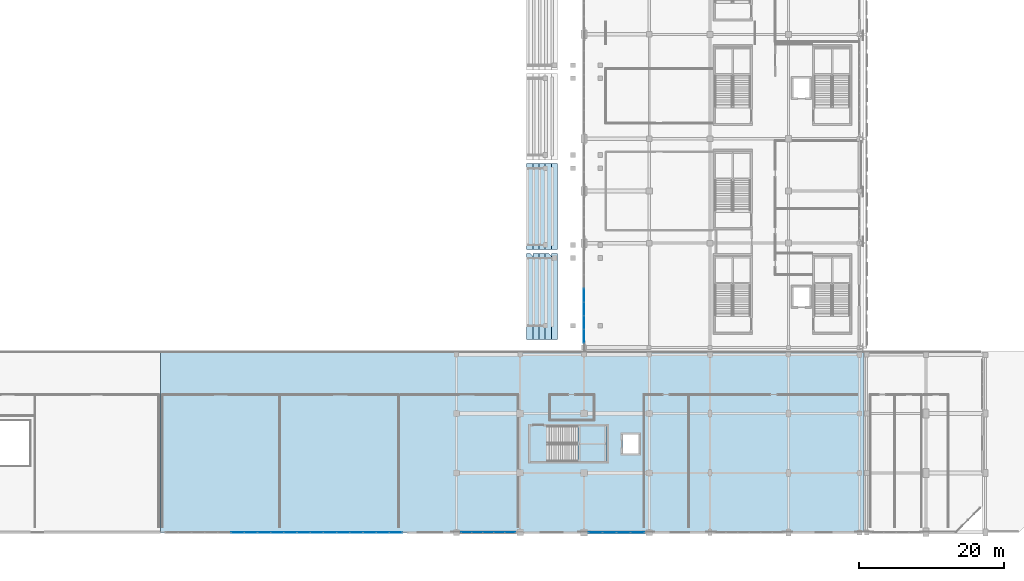
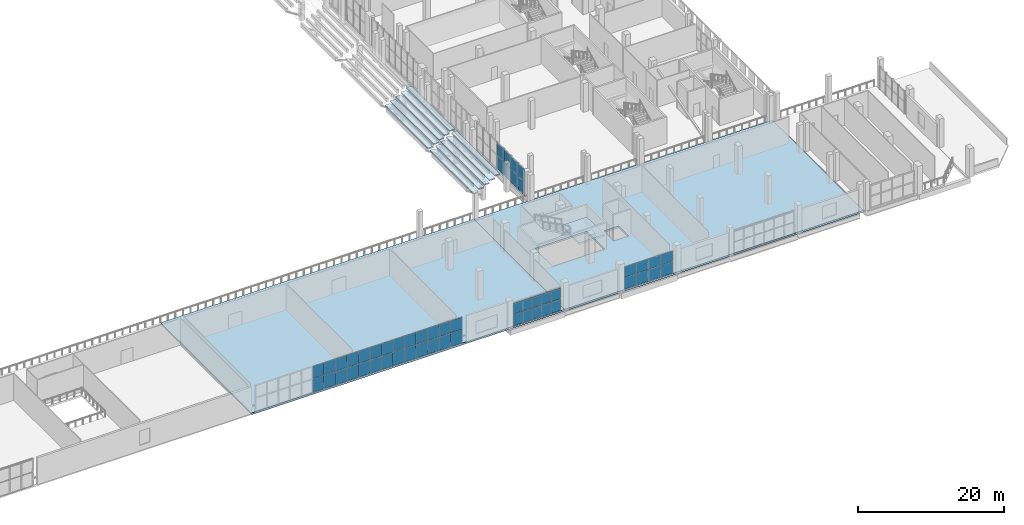
# One storey, part 78 of 142: 52 plates, 13 slabs, 5 elements without a shape of their own.
"""IFC4 building model written with IfcOpenShell, lengths in metres."""

from ifc_helpers import new_model, si_unit, direction, frame, origin, origin_2d, place, context, subcontext, project, spatial, polyline, rectangle, outline, extrude, material, layer, layer_set, type_object, element, aggregate, save


model = new_model("IFC4")

# Units and contexts
model_context = context("Model", 3, precision=1e-05, world=origin(), true_north=direction((0.0, 1.0)))
body_context = subcontext(model_context, "Body", "Model", "MODEL_VIEW")
ifc_project = project(units=[si_unit("LENGTHUNIT", "METRE"), si_unit("AREAUNIT", "SQUARE_METRE"), si_unit("VOLUMEUNIT", "CUBIC_METRE"), si_unit("PLANEANGLEUNIT", "RADIAN"), si_unit("MASSUNIT", "GRAM", prefix="KILO")], contexts=[model_context])

# Site, building, storey
site_placement = place(None, origin())
site = spatial("IfcSite", under=ifc_project, at=site_placement, CompositionType="ELEMENT")
building_placement = place(site_placement, origin())
building = spatial("IfcBuilding", under=site, at=building_placement, Name="Koshinbarg Plaza Stadium", CompositionType="ELEMENT")
storey_placement = place(building_placement, frame((0.0, 0.0, 10.199951171875)))
storey = spatial("IfcBuildingStorey", under=building, at=storey_placement, Name="L02", CompositionType="ELEMENT", Elevation=10.199951171875)

# Curtain wall, plates
ifc_material_1 = material(Name="Thermally broken anodised aluminium and low-E double glazing", Category="aluminium")
curtain_wall_type_1 = type_object("IfcCurtainWallType", Name="CW-SYS-01", PredefinedType="NOTDEFINED", material=ifc_material_1)
curtain_wall_1_placement = place(storey_placement, origin())
curtain_wall_1 = element("IfcCurtainWall", 1, at=curtain_wall_1_placement, inside=storey, type_object=curtain_wall_type_1, Name="L02 unitised curtain wall CW-L02-064", PredefinedType="NOTDEFINED")
ifc_material_2 = material(Name="Solar-control low-E double glazing unit", Category="glass")
ifc_layer_1 = layer(ifc_material_2, 0.028076171875)
ifc_layer_set_1 = layer_set([ifc_layer_1], Name="Solar-control low-E double glazing unit")
plate_type_1 = type_object("IfcPlateType", Name="CW-PNL-28", PredefinedType="CURTAIN_PANEL", material=ifc_layer_set_1)
plate_1_placement = place(storey_placement, frame((170.208984375, 0.0, 0.06005859375), z_axis=(0.0, 0.0, 1.0), x_axis=(-1.0, 0.0, 0.0)))
plate_1 = element("IfcPlate", 2, at=plate_1_placement, type_object=plate_type_1, Name="CW01 panel 1.1", PredefinedType="CURTAIN_PANEL", context=body_context, shape_type="SweptSolid", body=[
    extrude(rectangle(XDim=1.422119140625, YDim=0.028076171875, at=origin_2d()), origin(), (0.0, 0.0, 1.0), 1.917236328125),
])
plate_2_placement = place(storey_placement, frame((170.208984375, 0.0, 2.037353515625), z_axis=(0.0, 0.0, 1.0), x_axis=(-1.0, 0.0, 0.0)))
plate_2 = element("IfcPlate", 3, at=plate_2_placement, type_object=plate_type_1, Name="CW01 panel 1.2", PredefinedType="CURTAIN_PANEL", context=body_context, shape_type="SweptSolid", body=[
    extrude(rectangle(XDim=1.422119140625, YDim=0.028076171875, at=origin_2d()), origin(), (0.0, 0.0, 1.0), 1.7626953125),
])
plate_3_placement = place(storey_placement, frame((168.7119140625, 0.0, 0.06005859375), z_axis=(0.0, 0.0, 1.0), x_axis=(-1.0, 0.0, 0.0)))
plate_3 = element("IfcPlate", 4, at=plate_3_placement, type_object=plate_type_1, Name="CW01 panel 2.1", PredefinedType="CURTAIN_PANEL", context=body_context, shape_type="SweptSolid", body=[
    extrude(rectangle(XDim=1.451904296875, YDim=0.028076171875, at=origin_2d()), origin(), (0.0, 0.0, 1.0), 1.917236328125),
])
plate_4_placement = place(storey_placement, frame((168.7119140625, 0.0, 2.037353515625), z_axis=(0.0, 0.0, 1.0), x_axis=(-1.0, 0.0, 0.0)))
plate_4 = element("IfcPlate", 5, at=plate_4_placement, type_object=plate_type_1, Name="CW01 panel 2.2", PredefinedType="CURTAIN_PANEL", context=body_context, shape_type="SweptSolid", body=[
    extrude(rectangle(XDim=1.451904296875, YDim=0.028076171875, at=origin_2d()), origin(), (0.0, 0.0, 1.0), 1.7626953125),
])
plate_5_placement = place(storey_placement, frame((167.199951171875, 0.0, 0.06005859375), z_axis=(0.0, 0.0, 1.0), x_axis=(-1.0, 0.0, 0.0)))
plate_5 = element("IfcPlate", 6, at=plate_5_placement, type_object=plate_type_1, Name="CW01 panel 3.1", PredefinedType="CURTAIN_PANEL", context=body_context, shape_type="SweptSolid", body=[
    extrude(rectangle(XDim=1.451904296875, YDim=0.028076171875, at=origin_2d()), origin(), (0.0, 0.0, 1.0), 1.917236328125),
])
plate_6_placement = place(storey_placement, frame((167.199951171875, 0.0, 2.037353515625), z_axis=(0.0, 0.0, 1.0), x_axis=(-1.0, 0.0, 0.0)))
plate_6 = element("IfcPlate", 7, at=plate_6_placement, type_object=plate_type_1, Name="CW01 panel 3.2", PredefinedType="CURTAIN_PANEL", context=body_context, shape_type="SweptSolid", body=[
    extrude(rectangle(XDim=1.451904296875, YDim=0.028076171875, at=origin_2d()), origin(), (0.0, 0.0, 1.0), 1.7626953125),
])
plate_7_placement = place(storey_placement, frame((165.68798828125, 0.0, 0.06005859375), z_axis=(0.0, 0.0, 1.0), x_axis=(-1.0, 0.0, 0.0)))
plate_7 = element("IfcPlate", 8, at=plate_7_placement, type_object=plate_type_1, Name="CW01 panel 4.1", PredefinedType="CURTAIN_PANEL", context=body_context, shape_type="SweptSolid", body=[
    extrude(rectangle(XDim=1.451904296875, YDim=0.028076171875, at=origin_2d()), origin(), (0.0, 0.0, 1.0), 1.917236328125),
])
plate_8_placement = place(storey_placement, frame((165.68798828125, 0.0, 2.037353515625), z_axis=(0.0, 0.0, 1.0), x_axis=(-1.0, 0.0, 0.0)))
plate_8 = element("IfcPlate", 9, at=plate_8_placement, type_object=plate_type_1, Name="CW01 panel 4.2", PredefinedType="CURTAIN_PANEL", context=body_context, shape_type="SweptSolid", body=[
    extrude(rectangle(XDim=1.451904296875, YDim=0.028076171875, at=origin_2d()), origin(), (0.0, 0.0, 1.0), 1.7626953125),
])
plate_9_placement = place(storey_placement, frame((164.19091796875, 0.0, 0.06005859375), z_axis=(0.0, 0.0, 1.0), x_axis=(-1.0, 0.0, 0.0)))
plate_9 = element("IfcPlate", 10, at=plate_9_placement, type_object=plate_type_1, Name="CW01 panel 5.1", PredefinedType="CURTAIN_PANEL", context=body_context, shape_type="SweptSolid", body=[
    extrude(rectangle(XDim=1.422119140625, YDim=0.028076171875, at=origin_2d()), origin(), (0.0, 0.0, 1.0), 1.917236328125),
])
plate_10_placement = place(storey_placement, frame((164.19091796875, 0.0, 2.037353515625), z_axis=(0.0, 0.0, 1.0), x_axis=(-1.0, 0.0, 0.0)))
plate_10 = element("IfcPlate", 11, at=plate_10_placement, type_object=plate_type_1, Name="CW01 panel 5.2", PredefinedType="CURTAIN_PANEL", context=body_context, shape_type="SweptSolid", body=[
    extrude(rectangle(XDim=1.422119140625, YDim=0.028076171875, at=origin_2d()), origin(), (0.0, 0.0, 1.0), 1.7626953125),
])
aggregate(curtain_wall_1, [plate_1, plate_2, plate_3, plate_4, plate_5, plate_6, plate_7, plate_8, plate_9, plate_10])

curtain_wall_type_2 = type_object("IfcCurtainWallType", Name="CW-SYS-16", PredefinedType="NOTDEFINED", material=ifc_material_1)
curtain_wall_2_placement = place(storey_placement, origin())
curtain_wall_2 = element("IfcCurtainWall", 12, at=curtain_wall_2_placement, inside=storey, type_object=curtain_wall_type_2, Name="L02 unitised curtain wall CW-L02-063", PredefinedType="NOTDEFINED")
ifc_material_3 = material(Name="Acoustic solar-control double glazing unit", Category="glass")
ifc_layer_2 = layer(ifc_material_3, 0.031982421875)
ifc_layer_set_2 = layer_set([ifc_layer_2], Name="Acoustic solar-control double glazing unit")
plate_type_2 = type_object("IfcPlateType", Name="CW-PNL-32", PredefinedType="CURTAIN_PANEL", material=ifc_layer_set_2)
plate_11_placement = place(storey_placement, frame((187.794921875, 0.0, 0.06005859375), z_axis=(0.0, 0.0, 1.0), x_axis=(-1.0, 0.0, 0.0)))
plate_11 = element("IfcPlate", 13, at=plate_11_placement, type_object=plate_type_2, Name="CW16 panel 1.1", PredefinedType="CURTAIN_PANEL", context=body_context, shape_type="SweptSolid", body=[
    extrude(rectangle(XDim=1.85009765625, YDim=0.031982421875, at=origin_2d()), origin(), (0.0, 0.0, 1.0), 1.917236328125),
])
plate_12_placement = place(storey_placement, frame((187.794921875, 0.0, 2.037353515625), z_axis=(0.0, 0.0, 1.0), x_axis=(-1.0, 0.0, 0.0)))
plate_12 = element("IfcPlate", 14, at=plate_12_placement, type_object=plate_type_2, Name="CW16 panel 1.2", PredefinedType="CURTAIN_PANEL", context=body_context, shape_type="SweptSolid", body=[
    extrude(rectangle(XDim=1.85009765625, YDim=0.031982421875, at=origin_2d()), origin(), (0.0, 0.0, 1.0), 1.7626953125),
])
plate_13_placement = place(storey_placement, frame((185.8701171875, 0.0, 0.06005859375), z_axis=(0.0, 0.0, 1.0), x_axis=(-1.0, 0.0, 0.0)))
plate_13 = element("IfcPlate", 15, at=plate_13_placement, type_object=plate_type_2, Name="CW16 panel 2.1", PredefinedType="CURTAIN_PANEL", context=body_context, shape_type="SweptSolid", body=[
    extrude(rectangle(XDim=1.8798828125, YDim=0.031982421875, at=origin_2d()), origin(), (0.0, 0.0, 1.0), 1.917236328125),
])
plate_14_placement = place(storey_placement, frame((185.8701171875, 0.0, 2.037353515625), z_axis=(0.0, 0.0, 1.0), x_axis=(-1.0, 0.0, 0.0)))
plate_14 = element("IfcPlate", 16, at=plate_14_placement, type_object=plate_type_2, Name="CW16 panel 2.2", PredefinedType="CURTAIN_PANEL", context=body_context, shape_type="SweptSolid", body=[
    extrude(rectangle(XDim=1.8798828125, YDim=0.031982421875, at=origin_2d()), origin(), (0.0, 0.0, 1.0), 1.7626953125),
])
plate_15_placement = place(storey_placement, frame((183.929931640625, 0.0, 0.06005859375), z_axis=(0.0, 0.0, 1.0), x_axis=(-1.0, 0.0, 0.0)))
plate_15 = element("IfcPlate", 17, at=plate_15_placement, type_object=plate_type_2, Name="CW16 panel 3.1", PredefinedType="CURTAIN_PANEL", context=body_context, shape_type="SweptSolid", body=[
    extrude(rectangle(XDim=1.8798828125, YDim=0.031982421875, at=origin_2d()), origin(), (0.0, 0.0, 1.0), 1.917236328125),
])
plate_16_placement = place(storey_placement, frame((183.929931640625, 0.0, 2.037353515625), z_axis=(0.0, 0.0, 1.0), x_axis=(-1.0, 0.0, 0.0)))
plate_16 = element("IfcPlate", 18, at=plate_16_placement, type_object=plate_type_2, Name="CW16 panel 3.2", PredefinedType="CURTAIN_PANEL", context=body_context, shape_type="SweptSolid", body=[
    extrude(rectangle(XDim=1.8798828125, YDim=0.031982421875, at=origin_2d()), origin(), (0.0, 0.0, 1.0), 1.7626953125),
])
plate_17_placement = place(storey_placement, frame((182.0048828125, 0.0, 0.06005859375), z_axis=(0.0, 0.0, 1.0), x_axis=(-1.0, 0.0, 0.0)))
plate_17 = element("IfcPlate", 19, at=plate_17_placement, type_object=plate_type_2, Name="CW16 panel 4.1", PredefinedType="CURTAIN_PANEL", context=body_context, shape_type="SweptSolid", body=[
    extrude(rectangle(XDim=1.85009765625, YDim=0.031982421875, at=origin_2d()), origin(), (0.0, 0.0, 1.0), 1.917236328125),
])
plate_18_placement = place(storey_placement, frame((182.0048828125, 0.0, 2.037353515625), z_axis=(0.0, 0.0, 1.0), x_axis=(-1.0, 0.0, 0.0)))
plate_18 = element("IfcPlate", 20, at=plate_18_placement, type_object=plate_type_2, Name="CW16 panel 4.2", PredefinedType="CURTAIN_PANEL", context=body_context, shape_type="SweptSolid", body=[
    extrude(rectangle(XDim=1.85009765625, YDim=0.031982421875, at=origin_2d()), origin(), (0.0, 0.0, 1.0), 1.7626953125),
])
aggregate(curtain_wall_2, [plate_11, plate_12, plate_13, plate_14, plate_15, plate_16, plate_17, plate_18])

curtain_wall_type_3 = type_object("IfcCurtainWallType", Name="CW-SYS-02", PredefinedType="NOTDEFINED", material=ifc_material_1)
curtain_wall_3_placement = place(storey_placement, origin())
curtain_wall_3 = element("IfcCurtainWall", 21, at=curtain_wall_3_placement, inside=storey, type_object=curtain_wall_type_3, Name="L02 unitised curtain wall CW-L02-065", PredefinedType="NOTDEFINED")
plate_19_placement = place(storey_placement, frame((154.455078125, 0.0, 0.06005859375), z_axis=(0.0, 0.0, 1.0), x_axis=(-1.0, 0.0, 0.0)))
plate_19 = element("IfcPlate", 22, at=plate_19_placement, type_object=plate_type_2, Name="CW02 panel 1.1", PredefinedType="CURTAIN_PANEL", context=body_context, shape_type="SweptSolid", body=[
    extrude(rectangle(XDim=1.72998046875, YDim=0.031982421875, at=origin_2d()), origin(), (0.0, 0.0, 1.0), 2.239501953125),
])
plate_20_placement = place(storey_placement, frame((154.455078125, 0.0, 2.35986328125), z_axis=(0.0, 0.0, 1.0), x_axis=(-1.0, 0.0, 0.0)))
plate_20 = element("IfcPlate", 23, at=plate_20_placement, type_object=plate_type_2, Name="CW02 panel 1.2", PredefinedType="CURTAIN_PANEL", context=body_context, shape_type="SweptSolid", body=[
    extrude(rectangle(XDim=1.72998046875, YDim=0.031982421875, at=origin_2d()), origin(), (0.0, 0.0, 1.0), 2.060302734375),
])
plate_21_placement = place(storey_placement, frame((152.64990234375, 0.0, 0.06005859375), z_axis=(0.0, 0.0, 1.0), x_axis=(-1.0, 0.0, 0.0)))
plate_21 = element("IfcPlate", 24, at=plate_21_placement, type_object=plate_type_2, Name="CW02 panel 2.1", PredefinedType="CURTAIN_PANEL", context=body_context, shape_type="SweptSolid", body=[
    extrude(rectangle(XDim=1.760009765625, YDim=0.031982421875, at=origin_2d()), origin(), (0.0, 0.0, 1.0), 2.239501953125),
])
plate_22_placement = place(storey_placement, frame((152.64990234375, 0.0, 2.35986328125), z_axis=(0.0, 0.0, 1.0), x_axis=(-1.0, 0.0, 0.0)))
plate_22 = element("IfcPlate", 25, at=plate_22_placement, type_object=plate_type_2, Name="CW02 panel 2.2", PredefinedType="CURTAIN_PANEL", context=body_context, shape_type="SweptSolid", body=[
    extrude(rectangle(XDim=1.760009765625, YDim=0.031982421875, at=origin_2d()), origin(), (0.0, 0.0, 1.0), 2.060302734375),
])
plate_23_placement = place(storey_placement, frame((150.830078125, 0.0, 0.06005859375), z_axis=(0.0, 0.0, 1.0), x_axis=(-1.0, 0.0, 0.0)))
plate_23 = element("IfcPlate", 26, at=plate_23_placement, type_object=plate_type_2, Name="CW02 panel 3.1", PredefinedType="CURTAIN_PANEL", context=body_context, shape_type="SweptSolid", body=[
    extrude(rectangle(XDim=1.760009765625, YDim=0.031982421875, at=origin_2d()), origin(), (0.0, 0.0, 1.0), 2.239501953125),
])
plate_24_placement = place(storey_placement, frame((150.830078125, 0.0, 2.35986328125), z_axis=(0.0, 0.0, 1.0), x_axis=(-1.0, 0.0, 0.0)))
plate_24 = element("IfcPlate", 27, at=plate_24_placement, type_object=plate_type_2, Name="CW02 panel 3.2", PredefinedType="CURTAIN_PANEL", context=body_context, shape_type="SweptSolid", body=[
    extrude(rectangle(XDim=1.760009765625, YDim=0.031982421875, at=origin_2d()), origin(), (0.0, 0.0, 1.0), 2.060302734375),
])
plate_25_placement = place(storey_placement, frame((149.010009765625, 0.0, 0.06005859375), z_axis=(0.0, 0.0, 1.0), x_axis=(-1.0, 0.0, 0.0)))
plate_25 = element("IfcPlate", 28, at=plate_25_placement, type_object=plate_type_2, Name="CW02 panel 4.1", PredefinedType="CURTAIN_PANEL", context=body_context, shape_type="SweptSolid", body=[
    extrude(rectangle(XDim=1.760009765625, YDim=0.031982421875, at=origin_2d()), origin(), (0.0, 0.0, 1.0), 2.239501953125),
])
plate_26_placement = place(storey_placement, frame((149.010009765625, 0.0, 2.35986328125), z_axis=(0.0, 0.0, 1.0), x_axis=(-1.0, 0.0, 0.0)))
plate_26 = element("IfcPlate", 29, at=plate_26_placement, type_object=plate_type_2, Name="CW02 panel 4.2", PredefinedType="CURTAIN_PANEL", context=body_context, shape_type="SweptSolid", body=[
    extrude(rectangle(XDim=1.760009765625, YDim=0.031982421875, at=origin_2d()), origin(), (0.0, 0.0, 1.0), 2.060302734375),
])
plate_27_placement = place(storey_placement, frame((147.18994140625, 0.0, 0.06005859375), z_axis=(0.0, 0.0, 1.0), x_axis=(-1.0, 0.0, 0.0)))
plate_27 = element("IfcPlate", 30, at=plate_27_placement, type_object=plate_type_2, Name="CW02 panel 5.1", PredefinedType="CURTAIN_PANEL", context=body_context, shape_type="SweptSolid", body=[
    extrude(rectangle(XDim=1.760009765625, YDim=0.031982421875, at=origin_2d()), origin(), (0.0, 0.0, 1.0), 2.239501953125),
])
plate_28_placement = place(storey_placement, frame((147.18994140625, 0.0, 2.35986328125), z_axis=(0.0, 0.0, 1.0), x_axis=(-1.0, 0.0, 0.0)))
plate_28 = element("IfcPlate", 31, at=plate_28_placement, type_object=plate_type_2, Name="CW02 panel 5.2", PredefinedType="CURTAIN_PANEL", context=body_context, shape_type="SweptSolid", body=[
    extrude(rectangle(XDim=1.760009765625, YDim=0.031982421875, at=origin_2d()), origin(), (0.0, 0.0, 1.0), 2.060302734375),
])
plate_29_placement = place(storey_placement, frame((145.3701171875, 0.0, 0.06005859375), z_axis=(0.0, 0.0, 1.0), x_axis=(-1.0, 0.0, 0.0)))
plate_29 = element("IfcPlate", 32, at=plate_29_placement, type_object=plate_type_2, Name="CW02 panel 6.1", PredefinedType="CURTAIN_PANEL", context=body_context, shape_type="SweptSolid", body=[
    extrude(rectangle(XDim=1.760009765625, YDim=0.031982421875, at=origin_2d()), origin(), (0.0, 0.0, 1.0), 2.239501953125),
])
plate_30_placement = place(storey_placement, frame((145.3701171875, 0.0, 2.35986328125), z_axis=(0.0, 0.0, 1.0), x_axis=(-1.0, 0.0, 0.0)))
plate_30 = element("IfcPlate", 33, at=plate_30_placement, type_object=plate_type_2, Name="CW02 panel 6.2", PredefinedType="CURTAIN_PANEL", context=body_context, shape_type="SweptSolid", body=[
    extrude(rectangle(XDim=1.760009765625, YDim=0.031982421875, at=origin_2d()), origin(), (0.0, 0.0, 1.0), 2.060302734375),
])
plate_31_placement = place(storey_placement, frame((143.550048828125, 0.0, 0.06005859375), z_axis=(0.0, 0.0, 1.0), x_axis=(-1.0, 0.0, 0.0)))
plate_31 = element("IfcPlate", 34, at=plate_31_placement, type_object=plate_type_2, Name="CW02 panel 7.1", PredefinedType="CURTAIN_PANEL", context=body_context, shape_type="SweptSolid", body=[
    extrude(rectangle(XDim=1.760009765625, YDim=0.031982421875, at=origin_2d()), origin(), (0.0, 0.0, 1.0), 2.239501953125),
])
plate_32_placement = place(storey_placement, frame((143.550048828125, 0.0, 2.35986328125), z_axis=(0.0, 0.0, 1.0), x_axis=(-1.0, 0.0, 0.0)))
plate_32 = element("IfcPlate", 35, at=plate_32_placement, type_object=plate_type_2, Name="CW02 panel 7.2", PredefinedType="CURTAIN_PANEL", context=body_context, shape_type="SweptSolid", body=[
    extrude(rectangle(XDim=1.760009765625, YDim=0.031982421875, at=origin_2d()), origin(), (0.0, 0.0, 1.0), 2.060302734375),
])
plate_33_placement = place(storey_placement, frame((141.72998046875, 0.0, 0.06005859375), z_axis=(0.0, 0.0, 1.0), x_axis=(-1.0, 0.0, 0.0)))
plate_33 = element("IfcPlate", 36, at=plate_33_placement, type_object=plate_type_2, Name="CW02 panel 8.1", PredefinedType="CURTAIN_PANEL", context=body_context, shape_type="SweptSolid", body=[
    extrude(rectangle(XDim=1.760009765625, YDim=0.031982421875, at=origin_2d()), origin(), (0.0, 0.0, 1.0), 2.239501953125),
])
plate_34_placement = place(storey_placement, frame((141.72998046875, 0.0, 2.35986328125), z_axis=(0.0, 0.0, 1.0), x_axis=(-1.0, 0.0, 0.0)))
plate_34 = element("IfcPlate", 37, at=plate_34_placement, type_object=plate_type_2, Name="CW02 panel 8.2", PredefinedType="CURTAIN_PANEL", context=body_context, shape_type="SweptSolid", body=[
    extrude(rectangle(XDim=1.760009765625, YDim=0.031982421875, at=origin_2d()), origin(), (0.0, 0.0, 1.0), 2.060302734375),
])
plate_35_placement = place(storey_placement, frame((139.909912109375, 0.0, 0.06005859375), z_axis=(0.0, 0.0, 1.0), x_axis=(-1.0, 0.0, 0.0)))
plate_35 = element("IfcPlate", 38, at=plate_35_placement, type_object=plate_type_2, Name="CW02 panel 9.1", PredefinedType="CURTAIN_PANEL", context=body_context, shape_type="SweptSolid", body=[
    extrude(rectangle(XDim=1.760009765625, YDim=0.031982421875, at=origin_2d()), origin(), (0.0, 0.0, 1.0), 2.239501953125),
])
plate_36_placement = place(storey_placement, frame((139.909912109375, 0.0, 2.35986328125), z_axis=(0.0, 0.0, 1.0), x_axis=(-1.0, 0.0, 0.0)))
plate_36 = element("IfcPlate", 39, at=plate_36_placement, type_object=plate_type_2, Name="CW02 panel 9.2", PredefinedType="CURTAIN_PANEL", context=body_context, shape_type="SweptSolid", body=[
    extrude(rectangle(XDim=1.760009765625, YDim=0.031982421875, at=origin_2d()), origin(), (0.0, 0.0, 1.0), 2.060302734375),
])
plate_37_placement = place(storey_placement, frame((138.090087890625, 0.0, 0.06005859375), z_axis=(0.0, 0.0, 1.0), x_axis=(-1.0, 0.0, 0.0)))
plate_37 = element("IfcPlate", 40, at=plate_37_placement, type_object=plate_type_2, Name="CW02 panel 10.1", PredefinedType="CURTAIN_PANEL", context=body_context, shape_type="SweptSolid", body=[
    extrude(rectangle(XDim=1.760009765625, YDim=0.031982421875, at=origin_2d()), origin(), (0.0, 0.0, 1.0), 2.239501953125),
])
plate_38_placement = place(storey_placement, frame((138.090087890625, 0.0, 2.35986328125), z_axis=(0.0, 0.0, 1.0), x_axis=(-1.0, 0.0, 0.0)))
plate_38 = element("IfcPlate", 41, at=plate_38_placement, type_object=plate_type_2, Name="CW02 panel 10.2", PredefinedType="CURTAIN_PANEL", context=body_context, shape_type="SweptSolid", body=[
    extrude(rectangle(XDim=1.760009765625, YDim=0.031982421875, at=origin_2d()), origin(), (0.0, 0.0, 1.0), 2.060302734375),
])
plate_39_placement = place(storey_placement, frame((136.27001953125, 0.0, 0.06005859375), z_axis=(0.0, 0.0, 1.0), x_axis=(-1.0, 0.0, 0.0)))
plate_39 = element("IfcPlate", 42, at=plate_39_placement, type_object=plate_type_2, Name="CW02 panel 11.1", PredefinedType="CURTAIN_PANEL", context=body_context, shape_type="SweptSolid", body=[
    extrude(rectangle(XDim=1.760009765625, YDim=0.031982421875, at=origin_2d()), origin(), (0.0, 0.0, 1.0), 2.239501953125),
])
plate_40_placement = place(storey_placement, frame((136.27001953125, 0.0, 2.35986328125), z_axis=(0.0, 0.0, 1.0), x_axis=(-1.0, 0.0, 0.0)))
plate_40 = element("IfcPlate", 43, at=plate_40_placement, type_object=plate_type_2, Name="CW02 panel 11.2", PredefinedType="CURTAIN_PANEL", context=body_context, shape_type="SweptSolid", body=[
    extrude(rectangle(XDim=1.760009765625, YDim=0.031982421875, at=origin_2d()), origin(), (0.0, 0.0, 1.0), 2.060302734375),
])
plate_41_placement = place(storey_placement, frame((134.449951171875, 0.0, 0.06005859375), z_axis=(0.0, 0.0, 1.0), x_axis=(-1.0, 0.0, 0.0)))
plate_41 = element("IfcPlate", 44, at=plate_41_placement, type_object=plate_type_2, Name="CW02 panel 12.1", PredefinedType="CURTAIN_PANEL", context=body_context, shape_type="SweptSolid", body=[
    extrude(rectangle(XDim=1.760009765625, YDim=0.031982421875, at=origin_2d()), origin(), (0.0, 0.0, 1.0), 2.239501953125),
])
plate_42_placement = place(storey_placement, frame((134.449951171875, 0.0, 2.35986328125), z_axis=(0.0, 0.0, 1.0), x_axis=(-1.0, 0.0, 0.0)))
plate_42 = element("IfcPlate", 45, at=plate_42_placement, type_object=plate_type_2, Name="CW02 panel 12.2", PredefinedType="CURTAIN_PANEL", context=body_context, shape_type="SweptSolid", body=[
    extrude(rectangle(XDim=1.760009765625, YDim=0.031982421875, at=origin_2d()), origin(), (0.0, 0.0, 1.0), 2.060302734375),
])
plate_43_placement = place(storey_placement, frame((132.6298828125, 0.0, 0.06005859375), z_axis=(0.0, 0.0, 1.0), x_axis=(-1.0, 0.0, 0.0)))
plate_43 = element("IfcPlate", 46, at=plate_43_placement, type_object=plate_type_2, Name="CW02 panel 13.1", PredefinedType="CURTAIN_PANEL", context=body_context, shape_type="SweptSolid", body=[
    extrude(rectangle(XDim=1.760009765625, YDim=0.031982421875, at=origin_2d()), origin(), (0.0, 0.0, 1.0), 2.239501953125),
])
plate_44_placement = place(storey_placement, frame((132.6298828125, 0.0, 2.35986328125), z_axis=(0.0, 0.0, 1.0), x_axis=(-1.0, 0.0, 0.0)))
plate_44 = element("IfcPlate", 47, at=plate_44_placement, type_object=plate_type_2, Name="CW02 panel 13.2", PredefinedType="CURTAIN_PANEL", context=body_context, shape_type="SweptSolid", body=[
    extrude(rectangle(XDim=1.760009765625, YDim=0.031982421875, at=origin_2d()), origin(), (0.0, 0.0, 1.0), 2.060302734375),
])
aggregate(curtain_wall_3, [plate_19, plate_20, plate_21, plate_22, plate_23, plate_24, plate_25, plate_26, plate_27, plate_28, plate_29, plate_30, plate_31, plate_32, plate_33, plate_34, plate_35, plate_36, plate_37, plate_38, plate_39, plate_40, plate_41, plate_42, plate_43, plate_44])

curtain_wall_4_placement = place(storey_placement, origin())
curtain_wall_4 = element("IfcCurtainWall", 48, at=curtain_wall_4_placement, inside=storey, type_object=curtain_wall_type_3, Name="L02 unitised curtain wall CW-L02-081", PredefinedType="NOTDEFINED")
plate_45_placement = place(storey_placement, frame((180.39990234375, 27.074951171875, 0.06005859375), z_axis=(0.0, 0.0, 1.0), x_axis=(0.0, 1.0, 0.0)))
plate_45 = element("IfcPlate", 49, at=plate_45_placement, type_object=plate_type_2, Name="CW02 panel 1.1", PredefinedType="CURTAIN_PANEL", context=body_context, shape_type="SweptSolid", body=[
    extrude(rectangle(XDim=1.7900390625, YDim=0.031982421875, at=origin_2d()), origin(), (0.0, 0.0, 1.0), 2.239501953125),
])
plate_46_placement = place(storey_placement, frame((180.39990234375, 27.074951171875, 2.35986328125), z_axis=(0.0, 0.0, 1.0), x_axis=(0.0, 1.0, 0.0)))
plate_46 = element("IfcPlate", 50, at=plate_46_placement, type_object=plate_type_2, Name="CW02 panel 1.2", PredefinedType="CURTAIN_PANEL", context=body_context, shape_type="SweptSolid", body=[
    extrude(rectangle(XDim=1.7900390625, YDim=0.031982421875, at=origin_2d()), origin(), (0.0, 0.0, 1.0), 2.060302734375),
])
plate_47_placement = place(storey_placement, frame((180.39990234375, 28.93994140625, 0.06005859375), z_axis=(0.0, 0.0, 1.0), x_axis=(0.0, 1.0, 0.0)))
plate_47 = element("IfcPlate", 51, at=plate_47_placement, type_object=plate_type_2, Name="CW02 panel 2.1", PredefinedType="CURTAIN_PANEL", context=body_context, shape_type="SweptSolid", body=[
    extrude(rectangle(XDim=1.820068359375, YDim=0.031982421875, at=origin_2d()), origin(), (0.0, 0.0, 1.0), 2.239501953125),
])
plate_48_placement = place(storey_placement, frame((180.39990234375, 28.93994140625, 2.35986328125), z_axis=(0.0, 0.0, 1.0), x_axis=(0.0, 1.0, 0.0)))
plate_48 = element("IfcPlate", 52, at=plate_48_placement, type_object=plate_type_2, Name="CW02 panel 2.2", PredefinedType="CURTAIN_PANEL", context=body_context, shape_type="SweptSolid", body=[
    extrude(rectangle(XDim=1.820068359375, YDim=0.031982421875, at=origin_2d()), origin(), (0.0, 0.0, 1.0), 2.060302734375),
])
plate_49_placement = place(storey_placement, frame((180.39990234375, 30.820068359375, 0.06005859375), z_axis=(0.0, 0.0, 1.0), x_axis=(0.0, 1.0, 0.0)))
plate_49 = element("IfcPlate", 53, at=plate_49_placement, type_object=plate_type_2, Name="CW02 panel 3.1", PredefinedType="CURTAIN_PANEL", context=body_context, shape_type="SweptSolid", body=[
    extrude(rectangle(XDim=1.820068359375, YDim=0.031982421875, at=origin_2d()), origin(), (0.0, 0.0, 1.0), 2.239501953125),
])
plate_50_placement = place(storey_placement, frame((180.39990234375, 30.820068359375, 2.35986328125), z_axis=(0.0, 0.0, 1.0), x_axis=(0.0, 1.0, 0.0)))
plate_50 = element("IfcPlate", 54, at=plate_50_placement, type_object=plate_type_2, Name="CW02 panel 3.2", PredefinedType="CURTAIN_PANEL", context=body_context, shape_type="SweptSolid", body=[
    extrude(rectangle(XDim=1.820068359375, YDim=0.031982421875, at=origin_2d()), origin(), (0.0, 0.0, 1.0), 2.060302734375),
])
plate_51_placement = place(storey_placement, frame((180.39990234375, 32.699951171875, 0.06005859375), z_axis=(0.0, 0.0, 1.0), x_axis=(0.0, 1.0, 0.0)))
plate_51 = element("IfcPlate", 55, at=plate_51_placement, type_object=plate_type_2, Name="CW02 panel 4.1", PredefinedType="CURTAIN_PANEL", context=body_context, shape_type="SweptSolid", body=[
    extrude(rectangle(XDim=1.820068359375, YDim=0.031982421875, at=origin_2d()), origin(), (0.0, 0.0, 1.0), 2.239501953125),
])
plate_52_placement = place(storey_placement, frame((180.39990234375, 32.699951171875, 2.35986328125), z_axis=(0.0, 0.0, 1.0), x_axis=(0.0, 1.0, 0.0)))
plate_52 = element("IfcPlate", 56, at=plate_52_placement, type_object=plate_type_2, Name="CW02 panel 4.2", PredefinedType="CURTAIN_PANEL", context=body_context, shape_type="SweptSolid", body=[
    extrude(rectangle(XDim=1.820068359375, YDim=0.031982421875, at=origin_2d()), origin(), (0.0, 0.0, 1.0), 2.060302734375),
])
aggregate(curtain_wall_4, [plate_45, plate_46, plate_47, plate_48, plate_49, plate_50, plate_51, plate_52])

# Slabs
ifc_material_4 = material(Name="Concrete C35/45", Category="concrete")
ifc_layer_3 = layer(ifc_material_4, 0.300048828125)
ifc_layer_set_3 = layer_set([ifc_layer_3], Name="Concrete C35/45")
slab_type_1 = type_object("IfcSlabType", Name="SL-FLR-300", PredefinedType="FLOOR", material=ifc_layer_set_3)
slab_1_placement = place(storey_placement, frame((0.0, 0.0, -0.300048828125)))
element("IfcSlab", 57, at=slab_1_placement, inside=storey, type_object=slab_type_1, Name="L02 V4 structural slab 16", PredefinedType="FLOOR", context=body_context, shape_type="SweptSolid", body=[
    extrude(outline(polyline([(122.0, 0.0), (171.60009765625, 0.0), (171.60009765625, 24.955078125), (122.0, 24.955078125), (122.0, 0.0)])), origin(), (0.0, 0.0, 1.0), 0.300048828125),
])
slab_2_placement = place(storey_placement, frame((0.0, 0.0, -0.300048828125)))
element("IfcSlab", 58, at=slab_2_placement, inside=storey, type_object=slab_type_1, Name="L02 V4 structural slab 17", PredefinedType="FLOOR", context=body_context, shape_type="SweptSolid", body=[
    extrude(outline(polyline([(171.60009765625, 0.0), (218.955078125, 0.0), (218.955078125, 24.955078125), (171.60009765625, 24.955078125), (171.60009765625, 0.0)]), holes=[polyline([(175.360107421875, 9.800048828125), (183.60009765625, 9.800048828125), (183.60009765625, 14.669921875), (175.360107421875, 14.669921875), (175.360107421875, 9.800048828125)]), polyline([(185.699951171875, 10.85009765625), (188.0, 10.85009765625), (188.0, 13.550048828125), (185.699951171875, 13.550048828125), (185.699951171875, 10.85009765625)])]), origin(), (0.0, 0.0, 1.0), 0.300048828125),
])

# Stair, slab
stair_type = type_object("IfcStairType", Name="ST-CORE-48", PredefinedType="HALF_TURN_STAIR", material=ifc_material_4)
stair_placement = place(storey_placement, origin())
stair = element("IfcStair", 59, at=stair_placement, inside=storey, type_object=stair_type, Name="L02 Protected Exit Stair C14", PredefinedType="HALF_TURN_STAIR")
ifc_layer_4 = layer(ifc_material_4, 0.320068359375)
ifc_layer_set_4 = layer_set([ifc_layer_4], Name="Concrete C35/45")
slab_type_2 = type_object("IfcSlabType", Name="SL-STLAND-280", PredefinedType="LANDING", material=ifc_layer_set_4)
slab_3_placement = place(storey_placement, frame((0.0, 0.0, 2.080078125)))
slab_3 = element("IfcSlab", 60, at=slab_3_placement, type_object=slab_type_2, Name="L02 Protected Exit Stair C14 landing 069", PredefinedType="LANDING", context=body_context, shape_type="SweptSolid", body=[
    extrude(outline(polyline([(179.56005859375, 9.800048828125), (183.60009765625, 9.800048828125), (183.60009765625, 14.669921875), (179.56005859375, 14.669921875), (179.56005859375, 9.800048828125)])), origin(), (0.0, 0.0, 1.0), 0.320068359375),
])
aggregate(stair, [slab_3])

# Slabs
ifc_material_5 = material(Name="Precast concrete C40/50", Category="concrete")
ifc_layer_5 = layer(ifc_material_5, 0.199951171875)
ifc_layer_set_5 = layer_set([ifc_layer_5], Name="Precast concrete C40/50")
slab_type_3 = type_object("IfcSlabType", Name="SL-TIER-UT", PredefinedType="USERDEFINED", material=ifc_layer_set_5)
slab_4_placement = place(storey_placement, frame((0.0, 0.0, 2.820068359375)))
element("IfcSlab", 61, at=slab_4_placement, inside=storey, type_object=slab_type_3, Name="Stand upper seating tier UT-E01 row 1", ObjectType="SEATING TIER", PredefinedType="USERDEFINED", context=body_context, shape_type="SweptSolid", body=[
    extrude(outline(polyline([(172.5, 26.60009765625), (173.35009765625, 26.60009765625), (173.35009765625, 38.14990234375), (173.0, 38.5), (172.5, 38.5), (172.5, 26.60009765625)])), origin(), (0.0, 0.0, 1.0), 0.199951171875),
])
slab_5_placement = place(storey_placement, frame((0.0, 0.0, 3.260009765625)))
element("IfcSlab", 62, at=slab_5_placement, inside=storey, type_object=slab_type_3, Name="Stand upper seating tier UT-E01 row 2", ObjectType="SEATING TIER", PredefinedType="USERDEFINED", context=body_context, shape_type="SweptSolid", body=[
    extrude(outline(polyline([(173.35009765625, 26.60009765625), (174.199951171875, 26.60009765625), (174.199951171875, 38.5), (173.35009765625, 38.5), (173.35009765625, 26.60009765625)])), origin(), (0.0, 0.0, 1.0), 0.199951171875),
])
slab_6_placement = place(storey_placement, frame((0.0, 0.0, 3.699951171875)))
element("IfcSlab", 63, at=slab_6_placement, inside=storey, type_object=slab_type_3, Name="Stand upper seating tier UT-E01 row 3", ObjectType="SEATING TIER", PredefinedType="USERDEFINED", context=body_context, shape_type="SweptSolid", body=[
    extrude(outline(polyline([(174.199951171875, 26.60009765625), (175.050048828125, 26.60009765625), (175.050048828125, 38.5), (174.199951171875, 38.5), (174.199951171875, 26.60009765625)])), origin(), (0.0, 0.0, 1.0), 0.2001953125),
])
slab_7_placement = place(storey_placement, frame((0.0, 0.0, 4.14013671875)))
element("IfcSlab", 64, at=slab_7_placement, inside=storey, type_object=slab_type_3, Name="Stand upper seating tier UT-E01 row 4", ObjectType="SEATING TIER", PredefinedType="USERDEFINED", context=body_context, shape_type="SweptSolid", body=[
    extrude(outline(polyline([(175.050048828125, 26.60009765625), (175.89990234375, 26.60009765625), (175.89990234375, 38.14990234375), (175.550048828125, 38.5), (175.050048828125, 38.5), (175.050048828125, 26.60009765625)])), origin(), (0.0, 0.0, 1.0), 0.199951171875),
])
slab_8_placement = place(storey_placement, frame((0.0, 0.0, 4.580078125)))
element("IfcSlab", 65, at=slab_8_placement, inside=storey, type_object=slab_type_3, Name="Stand upper seating tier UT-E01 row 5", ObjectType="SEATING TIER", PredefinedType="USERDEFINED", context=body_context, shape_type="SweptSolid", body=[
    extrude(outline(polyline([(175.89990234375, 26.60009765625), (176.75, 26.60009765625), (176.75, 38.5), (175.89990234375, 38.5), (175.89990234375, 26.60009765625)])), origin(), (0.0, 0.0, 1.0), 0.199951171875),
])
slab_9_placement = place(storey_placement, frame((0.0, 0.0, 2.820068359375)))
element("IfcSlab", 66, at=slab_9_placement, inside=storey, type_object=slab_type_3, Name="Stand upper seating tier UT-E02 row 1", ObjectType="SEATING TIER", PredefinedType="USERDEFINED", context=body_context, shape_type="SweptSolid", body=[
    extrude(outline(polyline([(172.5, 39.0), (173.35009765625, 39.0), (173.35009765625, 50.89990234375), (172.5, 50.89990234375), (172.5, 39.0)])), origin(), (0.0, 0.0, 1.0), 0.199951171875),
])
slab_10_placement = place(storey_placement, frame((0.0, 0.0, 3.260009765625)))
element("IfcSlab", 67, at=slab_10_placement, inside=storey, type_object=slab_type_3, Name="Stand upper seating tier UT-E02 row 2", ObjectType="SEATING TIER", PredefinedType="USERDEFINED", context=body_context, shape_type="SweptSolid", body=[
    extrude(outline(polyline([(173.35009765625, 39.0), (174.199951171875, 39.0), (174.199951171875, 50.89990234375), (173.35009765625, 50.89990234375), (173.35009765625, 39.0)])), origin(), (0.0, 0.0, 1.0), 0.199951171875),
])
slab_11_placement = place(storey_placement, frame((0.0, 0.0, 3.699951171875)))
element("IfcSlab", 68, at=slab_11_placement, inside=storey, type_object=slab_type_3, Name="Stand upper seating tier UT-E02 row 3", ObjectType="SEATING TIER", PredefinedType="USERDEFINED", context=body_context, shape_type="SweptSolid", body=[
    extrude(outline(polyline([(174.199951171875, 39.0), (175.050048828125, 39.0), (175.050048828125, 50.89990234375), (174.199951171875, 50.89990234375), (174.199951171875, 39.0)])), origin(), (0.0, 0.0, 1.0), 0.2001953125),
])
slab_12_placement = place(storey_placement, frame((0.0, 0.0, 4.14013671875)))
element("IfcSlab", 69, at=slab_12_placement, inside=storey, type_object=slab_type_3, Name="Stand upper seating tier UT-E02 row 4", ObjectType="SEATING TIER", PredefinedType="USERDEFINED", context=body_context, shape_type="SweptSolid", body=[
    extrude(outline(polyline([(175.050048828125, 39.0), (175.89990234375, 39.0), (175.89990234375, 50.89990234375), (175.050048828125, 50.89990234375), (175.050048828125, 39.0)])), origin(), (0.0, 0.0, 1.0), 0.199951171875),
])
slab_13_placement = place(storey_placement, frame((0.0, 0.0, 4.580078125)))
element("IfcSlab", 70, at=slab_13_placement, inside=storey, type_object=slab_type_3, Name="Stand upper seating tier UT-E02 row 5", ObjectType="SEATING TIER", PredefinedType="USERDEFINED", context=body_context, shape_type="SweptSolid", body=[
    extrude(outline(polyline([(175.89990234375, 39.0), (176.75, 39.0), (176.75, 50.89990234375), (175.89990234375, 50.89990234375), (175.89990234375, 39.0)])), origin(), (0.0, 0.0, 1.0), 0.199951171875),
])

save(model, "model.ifc")
